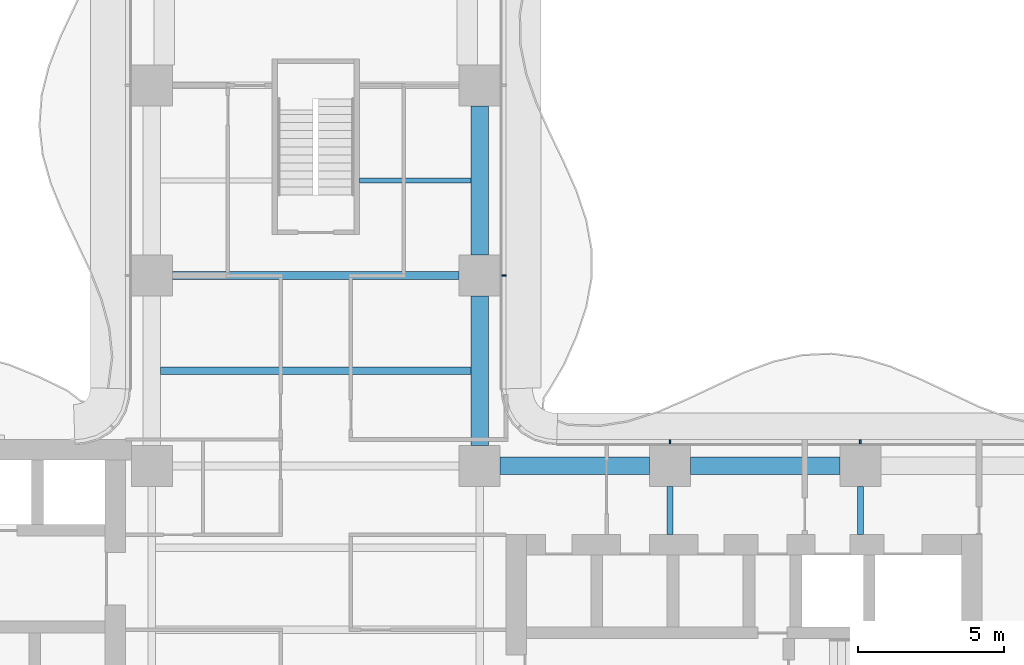
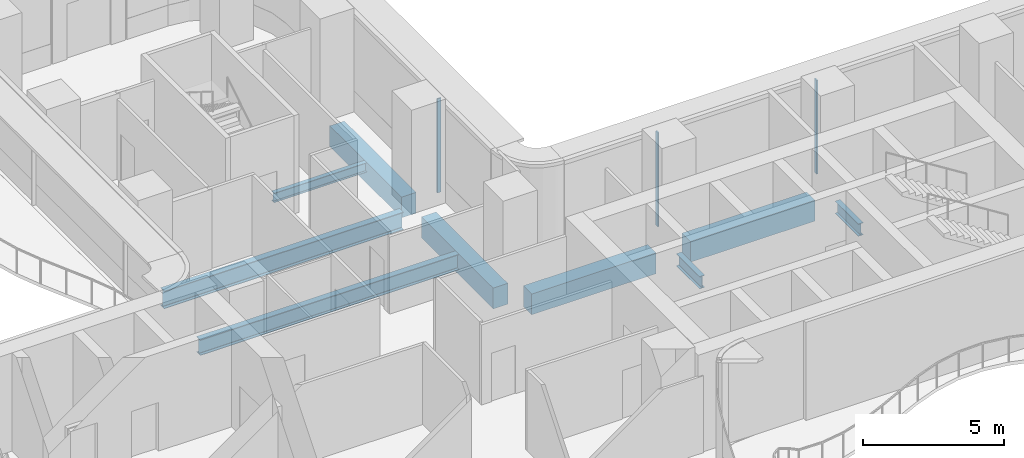
# One storey, part 10 of 22: 9 beams, 3 members, 2 elements without a shape of their own.
"""IFC4 building model written with IfcOpenShell, lengths in metres."""

from ifc_helpers import new_model, si_unit, direction, frame, origin, origin_2d, place, context, subcontext, project, spatial, rectangle, i_section, extrude, source, transform, mapped, material, layer, layer_set, material_profile, profile_set, type_object, element, aggregate, save


model = new_model("IFC4")

# Units and contexts
model_context = context("Model", 3, precision=1e-05, world=origin(), true_north=direction((0.0, 1.0)))
body_context = subcontext(model_context, "Body", "Model", "MODEL_VIEW")
ifc_project = project(units=[si_unit("LENGTHUNIT", "METRE"), si_unit("AREAUNIT", "SQUARE_METRE"), si_unit("VOLUMEUNIT", "CUBIC_METRE"), si_unit("PLANEANGLEUNIT", "RADIAN"), si_unit("MASSUNIT", "GRAM", prefix="KILO")], contexts=[model_context])

# Site, building, storey
site_placement = place(None, origin())
site = spatial("IfcSite", under=ifc_project, at=site_placement, CompositionType="ELEMENT")
building_placement = place(site_placement, origin())
building = spatial("IfcBuilding", under=site, at=building_placement, Name="Trellis Farm Tower", CompositionType="ELEMENT")
storey_placement = place(building_placement, frame((0.0, 0.0, 70.0)))
storey = spatial("IfcBuildingStorey", under=building, at=storey_placement, Name="L14", CompositionType="ELEMENT", Elevation=70.0)

# Beams
ifc_material_1 = material(Name="Concrete C60/75", Category="concrete")
ifc_material_profile_1 = material_profile(ifc_material_1, rectangle(XDim=0.60009765625, YDim=0.89990234375, at=origin_2d()), Name="RC spandrel beam 600x900 C60/75")
ifc_profile_set_1 = profile_set([ifc_material_profile_1], Name="Concrete C60/75")
beam_type_1 = type_object("IfcBeamType", Name="RC spandrel beam 600x900 C60/75", PredefinedType="SPANDREL", material=ifc_profile_set_1)
shared_shape_1 = source(origin(), body_context, "Body", "SweptSolid", [
    extrude(rectangle(XDim=0.60009765625, YDim=0.89990234375, at=origin_2d()), origin(), (0.0, 0.0, 1.0), 5.099853515625),
])
for number, where, z_axis, x_axis, name in (
    (1, (6.300048828125, 5.60009765625, -0.699951171875), (1.0, 0.0, 0.0), (0.0, 1.0, 0.0), "Girder"),
    (2, (12.800048828125, 5.60009765625, -0.699951171875), (1.0, 0.0, 0.0), (0.0, 1.0, 0.0), "Girder"),
    (3, (5.60009765625, 6.300048828125, -0.699951171875), (0.0, 1.0, 0.0), (-1.0, 0.0, 0.0), "Girder"),
    (4, (5.60009765625, 12.800048828125, -0.699951171875), (0.0, 1.0, 0.0), (-1.0, 0.0, 0.0), "Girder"),
):
    element("IfcBeam", number, at=place(storey_placement, frame(where, z_axis=z_axis, x_axis=x_axis)), inside=storey, type_object=beam_type_1, Name=name, PredefinedType="SPANDREL", context=body_context, shape_type="MappedRepresentation", body=[
        mapped(shared_shape_1, transform((0.0, 0.0, 0.0))),
    ])
ifc_material_2 = material(Name="Steel S355", Category="steel")
ifc_material_profile_2 = material_profile(ifc_material_2, i_section(OverallWidth=0.2666015625, OverallDepth=0.76220703125, WebThickness=0.014404296875, FlangeThickness=0.021484375, FilletRadius=0.0166015625, at=origin_2d()), Name="UB 762x267x173")
ifc_profile_set_2 = profile_set([ifc_material_profile_2], Name="Steel S355")
beam_type_2 = type_object("IfcBeamType", Name="UB 762x267x173", PredefinedType="BEAM", material=ifc_profile_set_2)
shared_shape_2 = source(origin(), body_context, "Body", "SweptSolid", [
    extrude(i_section(OverallWidth=0.2666015625, OverallDepth=0.76220703125, WebThickness=0.014404296875, FlangeThickness=0.021484375, FilletRadius=0.0166015625, at=origin_2d()), origin(), (0.0, 0.0, 1.0), 9.7998046875),
])
beam_1_placement = place(storey_placement, frame((-4.89990234375, 12.10009765625, -0.631103515625), z_axis=(1.0, 0.0, 0.0), x_axis=(0.0, 1.0, 0.0)))
element("IfcBeam", 5, at=beam_1_placement, inside=storey, type_object=beam_type_2, Name="Girder", PredefinedType="BEAM", context=body_context, shape_type="MappedRepresentation", body=[
    mapped(shared_shape_2, transform((0.0, 0.0, 0.0))),
])
ifc_material_profile_3 = material_profile(ifc_material_2, i_section(OverallWidth=0.209228515625, OverallDepth=0.533203125, WebThickness=0.010009765625, FlangeThickness=0.015625, FilletRadius=0.0126953125, at=origin_2d()), Name="UB 533x210x92")
ifc_profile_set_3 = profile_set([ifc_material_profile_3], Name="Steel S355")
beam_type_3 = type_object("IfcBeamType", Name="UB 533x210x92", PredefinedType="BEAM", material=ifc_profile_set_3)
shared_shape_3 = source(origin(), body_context, "Body", "SweptSolid", [
    extrude(i_section(OverallWidth=0.209228515625, OverallDepth=0.533203125, WebThickness=0.010009765625, FlangeThickness=0.015625, FilletRadius=0.0126953125, at=origin_2d()), origin(), (0.0, 0.0, 1.0), 1.64990234375),
])
for number, where, z_axis, x_axis, name in (
    (6, (12.10009765625, 3.25, -0.5166015625), (0.0, 1.0, 0.0), (-1.0, 0.0, 0.0), "Girder"),
    (7, (18.60009765625, 3.25, -0.5166015625), (0.0, 1.0, 0.0), (-1.0, 0.0, 0.0), "Girder"),
):
    element("IfcBeam", number, at=place(storey_placement, frame(where, z_axis=z_axis, x_axis=x_axis)), inside=storey, type_object=beam_type_3, Name=name, PredefinedType="BEAM", context=body_context, shape_type="MappedRepresentation", body=[
        mapped(shared_shape_3, transform((0.0, 0.0, 0.0))),
    ])
ifc_material_profile_4 = material_profile(ifc_material_2, i_section(OverallWidth=0.177978515625, OverallDepth=0.406494140625, WebThickness=0.0078125, FlangeThickness=0.0126953125, FilletRadius=0.01025390625, at=origin_2d()), Name="UB 406x178x60")
ifc_profile_set_4 = profile_set([ifc_material_profile_4], Name="Steel S355")
beam_type_4 = type_object("IfcBeamType", Name="UB 406x178x60 joist", PredefinedType="JOIST", material=ifc_profile_set_4)
shared_shape_4 = source(origin(), body_context, "Body", "SweptSolid", [
    extrude(i_section(OverallWidth=0.177978515625, OverallDepth=0.406494140625, WebThickness=0.0078125, FlangeThickness=0.0126953125, FilletRadius=0.01025390625, at=origin_2d()), origin(), (0.0, 0.0, 1.0), 3.800048828125),
])
beam_2_placement = place(storey_placement, frame((1.5, 15.35009765625, -0.453125), z_axis=(1.0, 0.0, 0.0), x_axis=(0.0, 1.0, 0.0)))
element("IfcBeam", 8, at=beam_2_placement, inside=storey, type_object=beam_type_4, Name="Floor beam", PredefinedType="JOIST", context=body_context, shape_type="MappedRepresentation", body=[
    mapped(shared_shape_4, transform((0.0, 0.0, 0.0))),
])
ifc_material_profile_5 = material_profile(ifc_material_2, i_section(OverallWidth=0.253662109375, OverallDepth=0.68359375, WebThickness=0.012451171875, FlangeThickness=0.021728515625, FilletRadius=0.01513671875, at=origin_2d()), Name="UB 686x254x140")
ifc_profile_set_5 = profile_set([ifc_material_profile_5], Name="Steel S355")
beam_type_5 = type_object("IfcBeamType", Name="UB 686x254x140 joist", PredefinedType="JOIST", material=ifc_profile_set_5)
shared_shape_5 = source(origin(), body_context, "Body", "SweptSolid", [
    extrude(i_section(OverallWidth=0.253662109375, OverallDepth=0.68359375, WebThickness=0.012451171875, FlangeThickness=0.021728515625, FilletRadius=0.01513671875, at=origin_2d()), origin(), (0.0, 0.0, 1.0), 10.60009765625),
])
beam_3_placement = place(storey_placement, frame((-5.300048828125, 8.85009765625, -0.591796875), z_axis=(1.0, 0.0, 0.0), x_axis=(0.0, 1.0, 0.0)))
element("IfcBeam", 9, at=beam_3_placement, inside=storey, type_object=beam_type_5, Name="Floor beam", PredefinedType="JOIST", context=body_context, shape_type="MappedRepresentation", body=[
    mapped(shared_shape_5, transform((0.0, 0.0, 0.0))),
])

# Curtain wall, members
ifc_material_3 = material(Name="Aluminium and glass curtain wall", Category="aluminium")
ifc_layer = layer(ifc_material_3, 0.18994140625)
ifc_layer_set = layer_set([ifc_layer], Name="RIBBON CURTAIN WALL CW1")
curtain_wall_type = type_object("IfcCurtainWallType", Name="RIBBON CURTAIN WALL CW1", PredefinedType="NOTDEFINED", material=ifc_layer_set)
placement = place(storey_placement, origin())
curtain_wall_1 = element("IfcCurtainWall", 10, at=placement, inside=storey, type_object=curtain_wall_type, Name="CW1 008", PredefinedType="NOTDEFINED")
ifc_material_4 = material(Name="Aluminium extrusion 6063-T6", Category="aluminium")
ifc_material_profile_6 = material_profile(ifc_material_4, rectangle(XDim=0.06005859375, YDim=0.14990234375, at=origin_2d()), Name="MULLION 60x150")
ifc_profile_set_6 = profile_set([ifc_material_profile_6], Name="Aluminium extrusion 6063-T6")
member_type = type_object("IfcMemberType", Name="CW1 MULLION 60x150", PredefinedType="MULLION", material=ifc_profile_set_6)
shared_shape_6 = source(origin(), body_context, "Body", "SweptSolid", [
    extrude(rectangle(XDim=0.06005859375, YDim=0.14990234375, at=origin_2d()), origin(), (0.0, 0.0, 1.0), 4.070068359375),
])
member_1_placement = place(storey_placement, frame((18.60009765625, 6.425048828125, 0.0), z_axis=(0.0, 0.0, 1.0), x_axis=(-1.0, 0.0, 0.0)))
member_1 = element("IfcMember", 11, at=member_1_placement, type_object=member_type, Name="MU1 008-02", PredefinedType="MULLION", context=body_context, shape_type="MappedRepresentation", body=[
    mapped(shared_shape_6, transform((0.0, 0.0, 0.0))),
])
member_2_placement = place(storey_placement, frame((12.10009765625, 6.425048828125, 0.0), z_axis=(0.0, 0.0, 1.0), x_axis=(-1.0, 0.0, 0.0)))
member_2 = element("IfcMember", 12, at=member_2_placement, type_object=member_type, Name="MU1 008-03", PredefinedType="MULLION", context=body_context, shape_type="MappedRepresentation", body=[
    mapped(shared_shape_6, transform((0.0, 0.0, 0.0))),
])
aggregate(curtain_wall_1, [member_1, member_2])

# Curtain wall, member
curtain_wall_2 = element("IfcCurtainWall", 13, at=placement, inside=storey, type_object=curtain_wall_type, Name="CW1 009", PredefinedType="NOTDEFINED")
member_3_placement = place(storey_placement, frame((6.425048828125, 12.10009765625, 0.0), z_axis=(0.0, 0.0, 1.0), x_axis=(0.0, 1.0, 0.0)))
member_3 = element("IfcMember", 14, at=member_3_placement, type_object=member_type, Name="MU1 009-01", PredefinedType="MULLION", context=body_context, shape_type="MappedRepresentation", body=[
    mapped(shared_shape_6, transform((0.0, 0.0, 0.0))),
])
aggregate(curtain_wall_2, [member_3])

save(model, "model.ifc")
